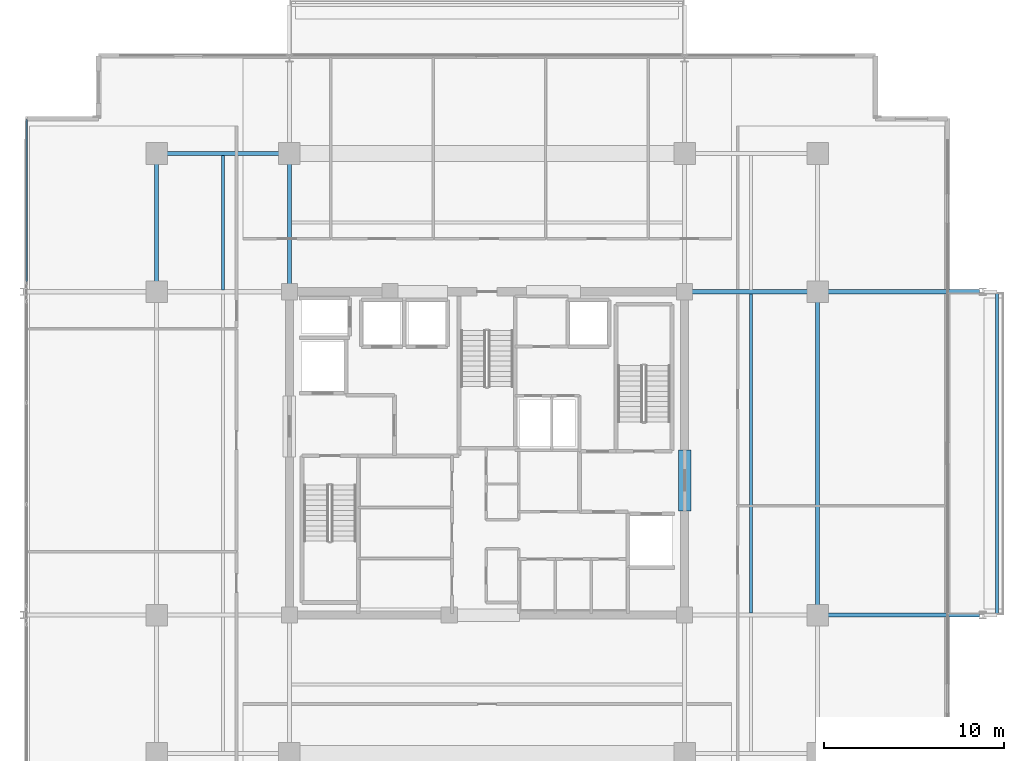
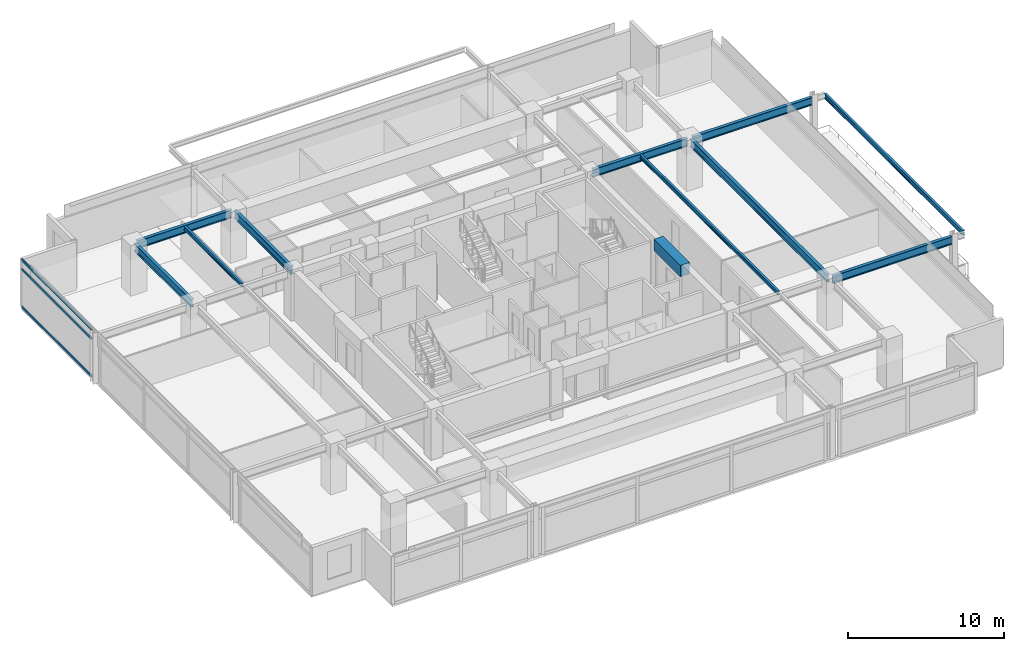
# One storey, part 9 of 21: 11 beams, 3 members, 1 element without a shape of its own.
"""IFC4 building model written with IfcOpenShell, lengths in metres."""

from ifc_helpers import new_model, si_unit, direction, frame, origin, origin_2d, place, context, subcontext, project, spatial, rectangle, hollow_rectangle, i_section, extrude, material, material_profile, profile_set, type_object, element, aggregate, save


model = new_model("IFC4")

# Units and contexts
model_context = context("Model", 3, precision=1e-05, world=origin(), true_north=direction((0.0, 1.0)))
body_context = subcontext(model_context, "Body", "Model", "MODEL_VIEW")
ifc_project = project(units=[si_unit("LENGTHUNIT", "METRE"), si_unit("AREAUNIT", "SQUARE_METRE"), si_unit("VOLUMEUNIT", "CUBIC_METRE"), si_unit("PLANEANGLEUNIT", "RADIAN"), si_unit("MASSUNIT", "GRAM", prefix="KILO")], contexts=[model_context])

# Site, building, storey
site_placement = place(None, origin())
site = spatial("IfcSite", under=ifc_project, at=site_placement, CompositionType="ELEMENT")
building_placement = place(site_placement, origin())
building = spatial("IfcBuilding", under=site, at=building_placement, Name="Kovane Verandah Tower", CompositionType="ELEMENT")
storey_placement = place(building_placement, frame((0.0, 0.0, 283.199951171875)))
storey = spatial("IfcBuildingStorey", under=building, at=storey_placement, Name="L66", CompositionType="ELEMENT", Elevation=283.199951171875)

# Beams
ifc_material_1 = material(Name="Concrete C60/75", Category="concrete")
ifc_material_profile_1 = material_profile(ifc_material_1, rectangle(XDim=0.699951171875, YDim=0.89990234375, at=origin_2d()), Name="RCB700x900")
ifc_profile_set_1 = profile_set([ifc_material_profile_1], Name="Concrete C60/75")
beam_type_1 = type_object("IfcBeamType", Name="BM-LINTEL-700x900", PredefinedType="LINTEL", material=ifc_profile_set_1)
beam_1_placement = place(storey_placement, frame((51.0, 24.300048828125, 3.3349609375), z_axis=(0.0, 1.0, 0.0), x_axis=(-1.0, 0.0, 0.0)))
element("IfcBeam", 1, at=beam_1_placement, inside=storey, type_object=beam_type_1, Name="L66 Core Coupling Lintel CL-E", PredefinedType="LINTEL", context=body_context, shape_type="SweptSolid", body=[
    extrude(rectangle(XDim=0.699951171875, YDim=0.89990234375, at=origin_2d()), origin(), (0.0, 0.0, 1.0), 3.39990234375),
])
ifc_material_2 = material(Name="Steel S355", Category="steel")
ifc_material_profile_2 = material_profile(ifc_material_2, i_section(OverallWidth=0.230224609375, OverallDepth=0.6171875, WebThickness=0.01318359375, FlangeThickness=0.022216796875, FilletRadius=0.0126953125, at=origin_2d()), Name="UB610x229x140")
ifc_profile_set_2 = profile_set([ifc_material_profile_2], Name="Steel S355")
beam_type_2 = type_object("IfcBeamType", Name="BM-UB610x140", PredefinedType="BEAM", material=ifc_profile_set_2)
beam_2_placement = place(storey_placement, frame((21.780029296875, 44.199951171875, 3.4765625), z_axis=(1.0, 0.0, 0.0), x_axis=(0.0, 1.0, 0.0)))
element("IfcBeam", 2, at=beam_2_placement, inside=storey, type_object=beam_type_2, Name="L66 Primary Tower Girder G-RN1", PredefinedType="BEAM", context=body_context, shape_type="SweptSolid", body=[
    extrude(i_section(OverallWidth=0.230224609375, OverallDepth=0.6171875, WebThickness=0.01318359375, FlangeThickness=0.022216796875, FilletRadius=0.0126953125, at=origin_2d()), origin(), (0.0, 0.0, 1.0), 7.0400390625),
])
beam_3_placement = place(storey_placement, frame((21.60009765625, 36.679931640625, 3.4765625), z_axis=(0.0, 1.0, 0.0), x_axis=(-1.0, 0.0, 0.0)))
element("IfcBeam", 3, at=beam_3_placement, inside=storey, type_object=beam_type_2, Name="L66 Primary Tower Girder G-RW3", PredefinedType="BEAM", context=body_context, shape_type="SweptSolid", body=[
    extrude(i_section(OverallWidth=0.230224609375, OverallDepth=0.6171875, WebThickness=0.01318359375, FlangeThickness=0.022216796875, FilletRadius=0.0126953125, at=origin_2d()), origin(), (0.0, 0.0, 1.0), 7.340087890625),
])
beam_4_placement = place(storey_placement, frame((58.39990234375, 18.679931640625, 3.4765625), z_axis=(0.0, 1.0, 0.0), x_axis=(-1.0, 0.0, 0.0)))
element("IfcBeam", 4, at=beam_4_placement, inside=storey, type_object=beam_type_2, Name="L66 Primary Tower Girder G-RE2", PredefinedType="BEAM", context=body_context, shape_type="SweptSolid", body=[
    extrude(i_section(OverallWidth=0.230224609375, OverallDepth=0.6171875, WebThickness=0.01318359375, FlangeThickness=0.022216796875, FilletRadius=0.0126953125, at=origin_2d()), origin(), (0.0, 0.0, 1.0), 17.64013671875),
])
beam_5_placement = place(storey_placement, frame((51.179931640625, 36.5, 3.4765625), z_axis=(1.0, 0.0, 0.0), x_axis=(0.0, 1.0, 0.0)))
element("IfcBeam", 5, at=beam_5_placement, inside=storey, type_object=beam_type_2, Name="L66 Primary Tower Girder G-E2", PredefinedType="BEAM", context=body_context, shape_type="SweptSolid", body=[
    extrude(i_section(OverallWidth=0.230224609375, OverallDepth=0.6171875, WebThickness=0.01318359375, FlangeThickness=0.022216796875, FilletRadius=0.0126953125, at=origin_2d()), origin(), (0.0, 0.0, 1.0), 7.0400390625),
])
beam_6_placement = place(storey_placement, frame((29.0, 36.679931640625, 3.4765625), z_axis=(0.0, 1.0, 0.0), x_axis=(-1.0, 0.0, 0.0)))
element("IfcBeam", 6, at=beam_6_placement, inside=storey, type_object=beam_type_2, Name="L66 Primary Tower Girder G-N1", PredefinedType="BEAM", context=body_context, shape_type="SweptSolid", body=[
    extrude(i_section(OverallWidth=0.230224609375, OverallDepth=0.6171875, WebThickness=0.01318359375, FlangeThickness=0.022216796875, FilletRadius=0.0126953125, at=origin_2d()), origin(), (0.0, 0.0, 1.0), 7.340087890625),
])
for number, where, z_axis, x_axis, name in (
    (7, (58.580078125, 18.5, 3.451416015625), (1.0, 0.0, 0.0), (0.0, 1.0, 0.0), "L66 Primary Tower Girder G-VE1"),
    (8, (58.580078125, 36.5, 3.451416015625), (1.0, 0.0, 0.0), (0.0, 1.0, 0.0), "L66 Primary Tower Girder G-VE2"),
):
    element("IfcBeam", number, at=place(storey_placement, frame(where, z_axis=z_axis, x_axis=x_axis)), inside=storey, type_object=beam_type_2, Name=name, PredefinedType="BEAM", context=body_context, shape_type="SweptSolid", body=[
        extrude(i_section(OverallWidth=0.230224609375, OverallDepth=0.6171875, WebThickness=0.01318359375, FlangeThickness=0.022216796875, FilletRadius=0.0126953125, at=origin_2d()), origin(), (0.0, 0.0, 1.0), 8.83984375),
    ])

# Curtain wall, members
ifc_material_3 = material(Name="Champagne Anodised Aluminium Frame with Low-E Clear Laminated Glass", Category="aluminium")
curtain_wall_type = type_object("IfcCurtainWallType", Name="CW-SYS-05-HIGH", PredefinedType="NOTDEFINED", material=ifc_material_3)
curtain_wall_placement = place(storey_placement, origin())
curtain_wall = element("IfcCurtainWall", 9, at=curtain_wall_placement, inside=storey, type_object=curtain_wall_type, Name="L66 W Unitised Curtain Wall-1", PredefinedType="NOTDEFINED")
ifc_material_4 = material(Name="Champagne Anodised Aluminium 6063-T6", Category="aluminium")
ifc_material_profile_3 = material_profile(ifc_material_4, hollow_rectangle(XDim=0.0849609375, YDim=0.18994140625, WallThickness=0.00390625, at=origin_2d()), Name="AL85x190x4")
ifc_profile_set_3 = profile_set([ifc_material_profile_3], Name="Champagne Anodised Aluminium 6063-T6")
member_type = type_object("IfcMemberType", Name="CW-TRN-85x190", PredefinedType="USERDEFINED", material=ifc_profile_set_3)
member_1_placement = place(storey_placement, frame((14.36865234375, 46.09033203125, 0.050048828125), z_axis=(0.0, -1.0, 0.0), x_axis=(1.0, 0.0, 0.0)))
member_1 = element("IfcMember", 10, at=member_1_placement, type_object=member_type, Name="L66 W Unitised Curtain Wall-1 Transom TB Bay 1", ObjectType="TRANSOM", PredefinedType="USERDEFINED", context=body_context, shape_type="SweptSolid", body=[
    extrude(hollow_rectangle(XDim=0.0849609375, YDim=0.18994140625, WallThickness=0.00390625, at=origin_2d()), origin(), (0.0, 0.0, 1.0), 9.020263671875),
])
member_2_placement = place(storey_placement, frame((14.36865234375, 46.09033203125, 3.005126953125), z_axis=(0.0, -1.0, 0.0), x_axis=(1.0, 0.0, 0.0)))
member_2 = element("IfcMember", 11, at=member_2_placement, type_object=member_type, Name="L66 W Unitised Curtain Wall-1 Transom TM Bay 1", ObjectType="TRANSOM", PredefinedType="USERDEFINED", context=body_context, shape_type="SweptSolid", body=[
    extrude(hollow_rectangle(XDim=0.0849609375, YDim=0.18994140625, WallThickness=0.00390625, at=origin_2d()), origin(), (0.0, 0.0, 1.0), 9.020263671875),
])
member_3_placement = place(storey_placement, frame((14.36865234375, 46.09033203125, 3.735107421875), z_axis=(0.0, -1.0, 0.0), x_axis=(1.0, 0.0, 0.0)))
member_3 = element("IfcMember", 12, at=member_3_placement, type_object=member_type, Name="L66 W Unitised Curtain Wall-1 Transom TT Bay 1", ObjectType="TRANSOM", PredefinedType="USERDEFINED", context=body_context, shape_type="SweptSolid", body=[
    extrude(hollow_rectangle(XDim=0.0849609375, YDim=0.18994140625, WallThickness=0.00390625, at=origin_2d()), origin(), (0.0, 0.0, 1.0), 9.020263671875),
])
aggregate(curtain_wall, [member_1, member_2, member_3])

# Beams
ifc_material_profile_4 = material_profile(ifc_material_2, i_section(OverallWidth=0.1669921875, OverallDepth=0.310302734375, WebThickness=0.0078125, FlangeThickness=0.013671875, FilletRadius=0.0087890625, at=origin_2d()), Name="UB305x165x54")
ifc_profile_set_4 = profile_set([ifc_material_profile_4], Name="Steel S355")
beam_type_3 = type_object("IfcBeamType", Name="JST-UB305x54", PredefinedType="JOIST", material=ifc_profile_set_4)
beam_7_placement = place(storey_placement, frame((54.699951171875, 18.613037109375, 3.6298828125), z_axis=(0.0, 1.0, 0.0), x_axis=(-1.0, 0.0, 0.0)))
element("IfcBeam", 13, at=beam_7_placement, inside=storey, type_object=beam_type_3, Name="L66 Secondary Composite Joist J-E1", PredefinedType="JOIST", context=body_context, shape_type="SweptSolid", body=[
    extrude(i_section(OverallWidth=0.1669921875, OverallDepth=0.310302734375, WebThickness=0.0078125, FlangeThickness=0.013671875, FilletRadius=0.0087890625, at=origin_2d()), origin(), (0.0, 0.0, 1.0), 17.77392578125),
])
beam_8_placement = place(storey_placement, frame((25.300048828125, 36.613037109375, 3.6298828125), z_axis=(0.0, 1.0, 0.0), x_axis=(-1.0, 0.0, 0.0)))
element("IfcBeam", 14, at=beam_8_placement, inside=storey, type_object=beam_type_3, Name="L66 Secondary Composite Joist J-NW1", PredefinedType="JOIST", context=body_context, shape_type="SweptSolid", body=[
    extrude(i_section(OverallWidth=0.1669921875, OverallDepth=0.310302734375, WebThickness=0.0078125, FlangeThickness=0.013671875, FilletRadius=0.0087890625, at=origin_2d()), origin(), (0.0, 0.0, 1.0), 7.473876953125),
])
ifc_material_profile_5 = material_profile(ifc_material_2, i_section(OverallWidth=0.173095703125, OverallDepth=0.36328125, WebThickness=0.009033203125, FlangeThickness=0.015625, FilletRadius=0.01025390625, at=origin_2d()), Name="UB356x171x67")
ifc_profile_set_5 = profile_set([ifc_material_profile_5], Name="Steel S355")
beam_type_4 = type_object("IfcBeamType", Name="SPD-UB356x67", PredefinedType="USERDEFINED", material=ifc_profile_set_5)
beam_9_placement = place(storey_placement, frame((68.387451171875, 18.594482421875, 3.578369140625), z_axis=(0.0, 1.0, 0.0), x_axis=(-1.0, 0.0, 0.0)))
element("IfcBeam", 15, at=beam_9_placement, inside=storey, type_object=beam_type_4, Name="L66 East Planter Edge Spandrel", ObjectType="SPANDREL", PredefinedType="USERDEFINED", context=body_context, shape_type="SweptSolid", body=[
    extrude(i_section(OverallWidth=0.173095703125, OverallDepth=0.36328125, WebThickness=0.009033203125, FlangeThickness=0.015625, FilletRadius=0.01025390625, at=origin_2d()), origin(), (0.0, 0.0, 1.0), 17.81103515625),
])

save(model, "model.ifc")
